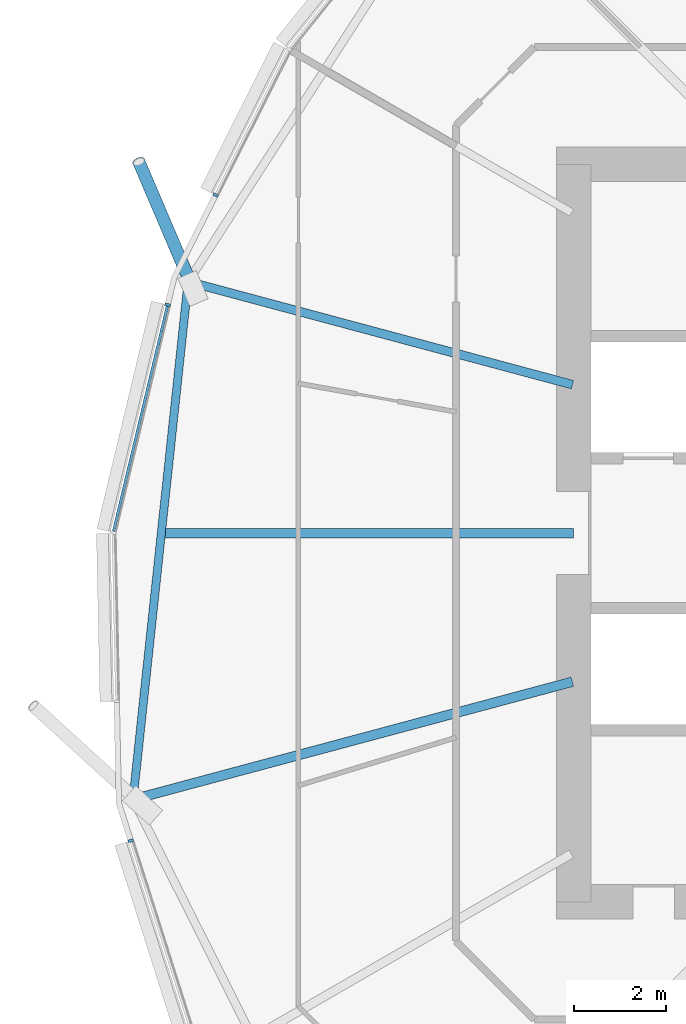
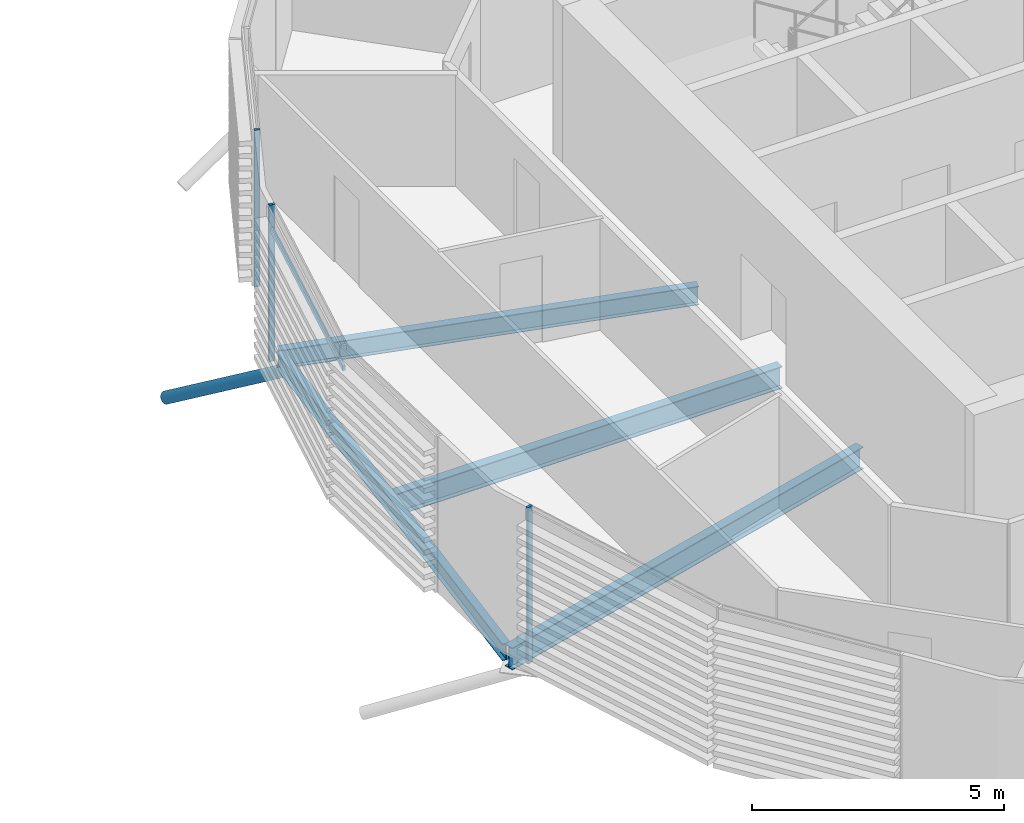
# One storey, part 14 of 39: 5 members, 4 beams, 1 element without a shape of its own.
"""IFC4 building model written with IfcOpenShell, lengths in metres."""

from ifc_helpers import new_model, si_unit, direction, frame, origin, origin_2d, place, context, subcontext, project, spatial, rectangle, hollow_circle, i_section, extrude, clip, halfspace, material, material_profile, profile_set, type_object, element, aggregate, save


model = new_model("IFC4")

# Units and contexts
model_context = context("Model", 3, precision=1e-05, world=origin(), true_north=direction((0.0, 1.0)))
body_context = subcontext(model_context, "Body", "Model", "MODEL_VIEW")
ifc_project = project(units=[si_unit("LENGTHUNIT", "METRE"), si_unit("AREAUNIT", "SQUARE_METRE"), si_unit("VOLUMEUNIT", "CUBIC_METRE"), si_unit("PLANEANGLEUNIT", "RADIAN"), si_unit("MASSUNIT", "GRAM", prefix="KILO")], contexts=[model_context])

# Site, building, storey
site_placement = place(None, origin())
site = spatial("IfcSite", under=ifc_project, at=site_placement, CompositionType="ELEMENT")
building_placement = place(site_placement, origin())
building = spatial("IfcBuilding", under=site, at=building_placement, Name="Rimbun Link Towers", CompositionType="ELEMENT")
storey_placement = place(building_placement, frame((0.0, 0.0, 112.0)))
storey = spatial("IfcBuildingStorey", under=building, at=storey_placement, Name="L27", CompositionType="ELEMENT", Elevation=112.0)

# Curtain wall, members
ifc_material_1 = material(Name="Aluminium 6063-T6 and low-iron glass", Category="aluminium")
curtain_wall_type = type_object("IfcCurtainWallType", Name="CW1-Z2 unitised vision wall (zone 2)", PredefinedType="NOTDEFINED", material=ifc_material_1)
curtain_wall_placement = place(storey_placement, origin())
curtain_wall = element("IfcCurtainWall", 1, at=curtain_wall_placement, inside=storey, type_object=curtain_wall_type, Name="CW1 L27 T2", PredefinedType="NOTDEFINED")
ifc_material_2 = material(Name="Aluminium 6063-T6", Category="aluminium")
ifc_material_profile_1 = material_profile(ifc_material_2, rectangle(XDim=0.1201171875, YDim=0.06005859375, at=origin_2d()), Name="MULLION 60X120")
ifc_profile_set_1 = profile_set([ifc_material_profile_1], Name="Aluminium 6063-T6")
member_type_1 = type_object("IfcMemberType", Name="CW1 mullion 60X120", PredefinedType="MULLION", material=ifc_profile_set_1)
member_1_placement = place(storey_placement, frame((11.98486328125, 7.33642578125, 0.0), z_axis=(0.0, 0.0, 1.0), x_axis=(-0.893637595797, 0.448789312905, 0.0)))
member_1 = element("IfcMember", 2, at=member_1_placement, type_object=member_type_1, Name="CW1 mullion", PredefinedType="MULLION", context=body_context, shape_type="SweptSolid", body=[
    extrude(rectangle(XDim=0.1201171875, YDim=0.06005859375, at=origin_2d()), origin(), (0.0, 0.0, 1.0), 3.800048828125),
])
member_2_placement = place(storey_placement, frame((10.943115234375, 4.95263671875, 0.0), z_axis=(0.0, 0.0, 1.0), x_axis=(-0.972575947038, 0.232585526726, 0.0)))
member_2 = element("IfcMember", 3, at=member_2_placement, type_object=member_type_1, Name="CW1 mullion", PredefinedType="MULLION", context=body_context, shape_type="SweptSolid", body=[
    extrude(rectangle(XDim=0.1201171875, YDim=0.06005859375, at=origin_2d()), origin(), (0.0, 0.0, 1.0), 3.800048828125),
])
member_3_placement = place(storey_placement, frame((10.143798828125, -6.671142578125, 0.0), z_axis=(0.0, 0.0, 1.0), x_axis=(-0.952972314709, -0.303057366512, 0.0)))
member_3 = element("IfcMember", 4, at=member_3_placement, type_object=member_type_1, Name="CW1 mullion", PredefinedType="MULLION", context=body_context, shape_type="SweptSolid", body=[
    extrude(rectangle(XDim=0.1201171875, YDim=0.06005859375, at=origin_2d()), origin(), (0.0, 0.0, 1.0), 3.800048828125),
])
ifc_material_3 = material(Name="Aluminium 6063-T6", Category="aluminium")
ifc_material_profile_2 = material_profile(ifc_material_3, rectangle(XDim=0.06005859375, YDim=0.1201171875, at=origin_2d()), Name="TRANSOM 60X120")
ifc_profile_set_2 = profile_set([ifc_material_profile_2], Name="Aluminium 6063-T6")
member_type_2 = type_object("IfcMemberType", Name="CW1 transom 60X120", PredefinedType="USERDEFINED", material=ifc_profile_set_2)
member_4_placement = place(storey_placement, frame((9.77099609375, 0.042724609375, 3.199951171875), z_axis=(0.232574213741, 0.972578652399, 0.0), x_axis=(-0.972578652399, 0.232574213741, 0.0)))
member_4 = element("IfcMember", 5, at=member_4_placement, type_object=member_type_2, Name="CW1 transom", ObjectType="TRANSOM", PredefinedType="USERDEFINED", context=body_context, shape_type="SweptSolid", body=[
    extrude(rectangle(XDim=0.06005859375, YDim=0.1201171875, at=origin_2d()), origin(), (0.0, 0.0, 1.0), 5.017822265625),
])
aggregate(curtain_wall, [member_1, member_2, member_3, member_4])

# Member
ifc_material_4 = material(Name="Steel S355J2H", Category="steel")
ifc_material_profile_3 = material_profile(ifc_material_4, hollow_circle(Radius=0.136474609375, WallThickness=0.012451171875, at=origin_2d()), Name="CHS 273x12.5")
ifc_profile_set_3 = profile_set([ifc_material_profile_3], Name="Steel S355J2H")
member_type_3 = type_object("IfcMemberType", Name="Floor edge link CHS 273x12.5", PredefinedType="BRACE", material=ifc_profile_set_3)
member_5_placement = place(storey_placement, frame((11.435791015625, 5.443115234375, -0.728271484375), z_axis=(-0.330361190975, 0.772948972146, -0.541674597851), x_axis=(-0.919533385121, -0.393011900134, 0.0)))
element("IfcMember", 6, at=member_5_placement, inside=storey, type_object=member_type_3, Name="Floor edge link T2 L27 08", PredefinedType="BRACE", context=body_context, shape_type="Clipping", body=[
    clip(extrude(hollow_circle(Radius=0.136474609375, WallThickness=0.012451171875, at=origin_2d()), frame((0.0, 0.0, -0.442138671875)), (0.0, 0.0, 1.0), 3.84228515625), halfspace(frame((0.0, 0.0, -0.20849609375), z_axis=(0.0, 0.840588264279, -0.541674597851)), False)),
])

# Beams
ifc_material_5 = material(Name="Steel S355J2", Category="steel")
ifc_material_profile_4 = material_profile(ifc_material_5, i_section(OverallWidth=0.177978515625, OverallDepth=0.406494140625, WebThickness=0.0078125, FlangeThickness=0.0126953125, at=origin_2d()), Name="UB 406x178x60")
ifc_profile_set_4 = profile_set([ifc_material_profile_4], Name="Steel S355J2")
beam_type_1 = type_object("IfcBeamType", Name="UB 406x178x60", PredefinedType="BEAM", material=ifc_profile_set_4)
beam_1_placement = place(storey_placement, frame((11.377197265625, 5.359619140625, -0.36328125), z_axis=(-0.105820804434, -0.994385215774, 0.0), x_axis=(0.994385215774, -0.105820804434, 0.0)))
element("IfcBeam", 7, at=beam_1_placement, inside=storey, type_object=beam_type_1, Name="Edge beam T2 L27 08-10", PredefinedType="BEAM", context=body_context, shape_type="SweptSolid", body=[
    extrude(i_section(OverallWidth=0.177978515625, OverallDepth=0.406494140625, WebThickness=0.0078125, FlangeThickness=0.0126953125, at=origin_2d()), origin(), (0.0, 0.0, 1.0), 11.085693359375),
])
ifc_material_6 = material(Name="Steel S355J2", Category="steel")
ifc_material_profile_5 = material_profile(ifc_material_6, i_section(OverallWidth=0.18994140625, OverallDepth=0.453369140625, WebThickness=0.008544921875, FlangeThickness=0.0126953125, at=origin_2d()), Name="UB 457x191x67")
ifc_profile_set_5 = profile_set([ifc_material_profile_5], Name="Steel S355J2")
beam_type_2 = type_object("IfcBeamType", Name="UB 457x191x67", PredefinedType="BEAM", material=ifc_profile_set_5)
beam_2_placement = place(storey_placement, frame((19.724609375, 3.22216796875, -0.38671875), z_axis=(-0.965925324367, 0.258820918295, 0.0), x_axis=(-0.258820918295, -0.965925324367, 0.0)))
element("IfcBeam", 8, at=beam_2_placement, inside=storey, type_object=beam_type_2, Name="Radial beam T2 L27 08", PredefinedType="BEAM", context=body_context, shape_type="SweptSolid", body=[
    extrude(i_section(OverallWidth=0.18994140625, OverallDepth=0.453369140625, WebThickness=0.008544921875, FlangeThickness=0.0126953125, at=origin_2d()), origin(), (0.0, 0.0, 1.0), 8.631103515625),
])
ifc_material_7 = material(Name="Steel S355J2", Category="steel")
ifc_material_profile_6 = material_profile(ifc_material_7, i_section(OverallWidth=0.209228515625, OverallDepth=0.533203125, WebThickness=0.010009765625, FlangeThickness=0.015625, at=origin_2d()), Name="UB 533x210x92")
ifc_profile_set_6 = profile_set([ifc_material_profile_6], Name="Steel S355J2")
beam_type_3 = type_object("IfcBeamType", Name="UB 533x210x92", PredefinedType="BEAM", material=ifc_profile_set_6)
beam_3_placement = place(storey_placement, frame((19.7490234375, 0.0, -0.426513671875), z_axis=(-1.0, 0.0, 0.0), x_axis=(0.0, -1.0, 0.0)))
element("IfcBeam", 9, at=beam_3_placement, inside=storey, type_object=beam_type_3, Name="Radial beam T2 L27 09", PredefinedType="BEAM", context=body_context, shape_type="SweptSolid", body=[
    extrude(i_section(OverallWidth=0.209228515625, OverallDepth=0.533203125, WebThickness=0.010009765625, FlangeThickness=0.015625, at=origin_2d()), origin(), (0.0, 0.0, 1.0), 8.8515625),
])
beam_4_placement = place(storey_placement, frame((19.721923828125, -3.222900390625, -0.426513671875), z_axis=(-0.965926622958, -0.258816071874, 0.0), x_axis=(0.258816071874, -0.965926622958, 0.0)))
element("IfcBeam", 10, at=beam_4_placement, inside=storey, type_object=beam_type_3, Name="Radial beam T2 L27 10", PredefinedType="BEAM", context=body_context, shape_type="SweptSolid", body=[
    extrude(i_section(OverallWidth=0.209228515625, OverallDepth=0.533203125, WebThickness=0.010009765625, FlangeThickness=0.015625, at=origin_2d()), origin(), (0.0, 0.0, 1.0), 9.865966796875),
])

save(model, "model.ifc")
